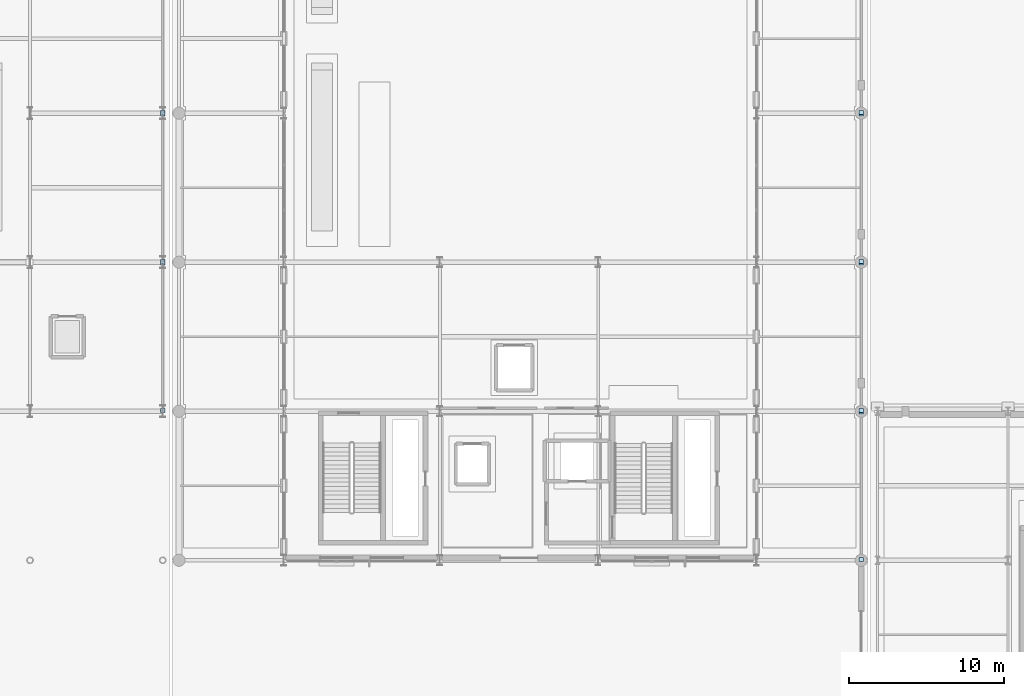
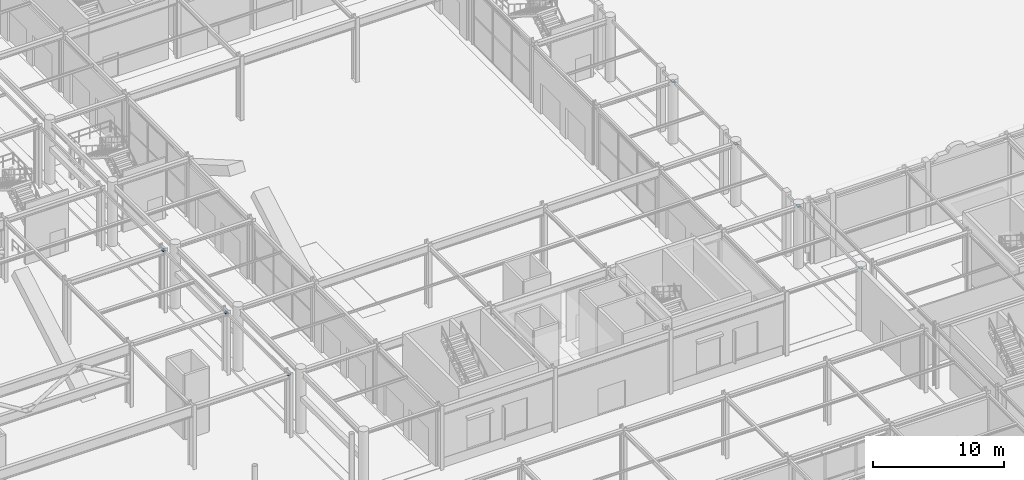
# One storey, part 53 of 113: 12 plates.
"""IFC4 building model written with IfcOpenShell, lengths in metres."""

from ifc_helpers import new_model, si_unit, direction, frame, origin, origin_2d, place, context, subcontext, project, spatial, rectangle, extrude, material, layer, layer_set, type_object, element, save


model = new_model("IFC4")

# Units and contexts
model_context = context("Model", 3, precision=1e-05, world=origin(), true_north=direction((0.0, 1.0)))
body_context = subcontext(model_context, "Body", "Model", "MODEL_VIEW")
ifc_project = project(units=[si_unit("LENGTHUNIT", "METRE"), si_unit("AREAUNIT", "SQUARE_METRE"), si_unit("VOLUMEUNIT", "CUBIC_METRE"), si_unit("PLANEANGLEUNIT", "RADIAN"), si_unit("MASSUNIT", "GRAM", prefix="KILO")], contexts=[model_context])

# Site, building, storey
site_placement = place(None, origin())
site = spatial("IfcSite", under=ifc_project, at=site_placement, CompositionType="ELEMENT")
building_placement = place(site_placement, origin())
building = spatial("IfcBuilding", under=site, at=building_placement, Name="Myrtia Square Station", CompositionType="ELEMENT")
storey_placement = place(building_placement, origin())
storey = spatial("IfcBuildingStorey", under=building, at=storey_placement, Name="L00", CompositionType="ELEMENT", Elevation=0.0)

# Plates
ifc_material = material(Name="Steel S355", Category="steel")
ifc_layer = layer(ifc_material, 0.01611328125, Name="Steel S355")
ifc_layer_set = layer_set([ifc_layer], Name="Steel S355")
plate_type = type_object("IfcPlateType", Name="PLT-GUS16", PredefinedType="USERDEFINED", material=ifc_layer_set)
for number, where, z_axis, x_axis, name in (
    (1, (71.550048828125, 38.449951171875, 5.60693359375), (0.0, 0.0, 1.0), (0.0, 1.0, 0.0), "Truss node gusset plate SPNY-L00-0071-1"),
    (2, (71.550048828125, 47.949951171875, 5.60693359375), (0.0, 0.0, 1.0), (0.0, 1.0, 0.0), "Truss node gusset plate SPNY-L00-0071-2"),
    (3, (71.550048828125, 48.050048828125, 5.60693359375), (0.0, 0.0, 1.0), (0.0, 1.0, 0.0), "Truss node gusset plate SPNY-L00-0072-1"),
    (4, (71.550048828125, 57.550048828125, 5.60693359375), (0.0, 0.0, 1.0), (0.0, 1.0, 0.0), "Truss node gusset plate SPNY-L00-0072-2"),
    (5, (71.550048828125, 57.64990234375, 5.60693359375), (0.0, 0.0, 1.0), (0.0, 1.0, 0.0), "Truss node gusset plate SPNY-L00-0073-1"),
    (6, (116.550048828125, 28.85009765625, 5.60693359375), (0.0, 0.0, 1.0), (0.0, 1.0, 0.0), "Truss node gusset plate SPNY-L00-0080-1"),
    (7, (116.550048828125, 38.35009765625, 5.60693359375), (0.0, 0.0, 1.0), (0.0, 1.0, 0.0), "Truss node gusset plate SPNY-L00-0080-2"),
    (8, (116.550048828125, 38.449951171875, 5.60693359375), (0.0, 0.0, 1.0), (0.0, 1.0, 0.0), "Truss node gusset plate SPNY-L00-0081-1"),
    (9, (116.550048828125, 47.949951171875, 5.60693359375), (0.0, 0.0, 1.0), (0.0, 1.0, 0.0), "Truss node gusset plate SPNY-L00-0081-2"),
    (10, (116.550048828125, 48.050048828125, 5.60693359375), (0.0, 0.0, 1.0), (0.0, 1.0, 0.0), "Truss node gusset plate SPNY-L00-0082-1"),
    (11, (116.550048828125, 57.550048828125, 5.60693359375), (0.0, 0.0, 1.0), (0.0, 1.0, 0.0), "Truss node gusset plate SPNY-L00-0082-2"),
    (12, (116.550048828125, 57.64990234375, 5.60693359375), (0.0, 0.0, 1.0), (0.0, 1.0, 0.0), "Truss node gusset plate SPNY-L00-0083-1"),
):
    element("IfcPlate", number, at=place(storey_placement, frame(where, z_axis=z_axis, x_axis=x_axis)), inside=storey, type_object=plate_type, Name=name, ObjectType="GUSSET PLATE", PredefinedType="USERDEFINED", context=body_context, shape_type="SweptSolid", body=[
        extrude(rectangle(XDim=0.280029296875, YDim=0.280029296875, at=origin_2d()), origin(), (0.0, 0.0, 1.0), 0.01611328125),
    ])

save(model, "model.ifc")
